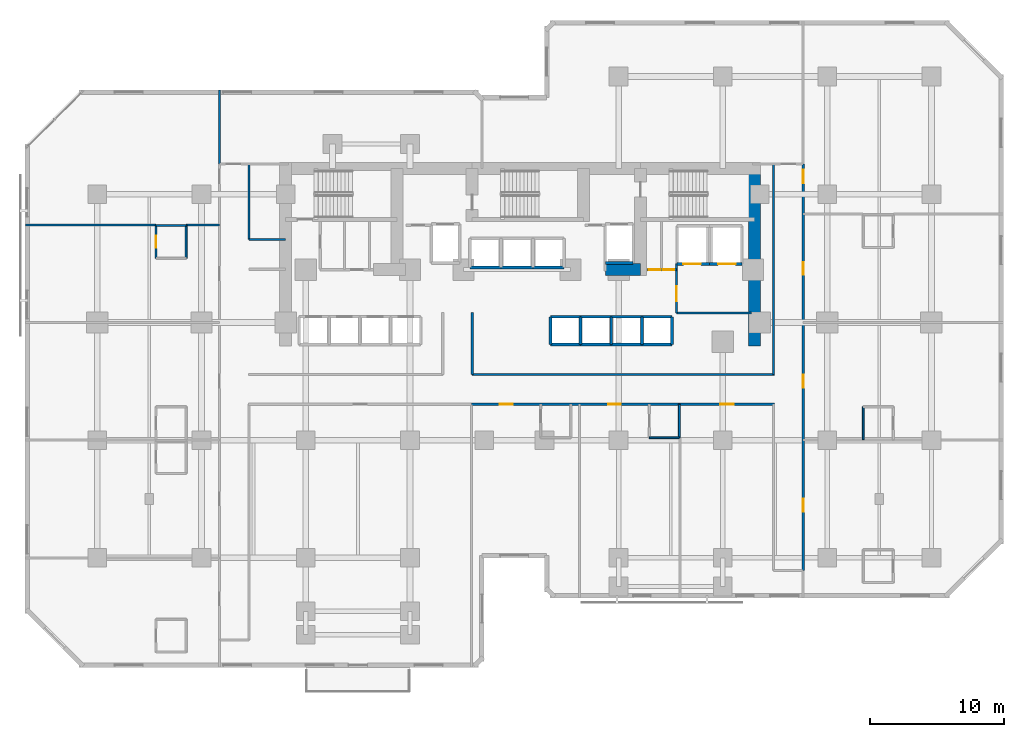
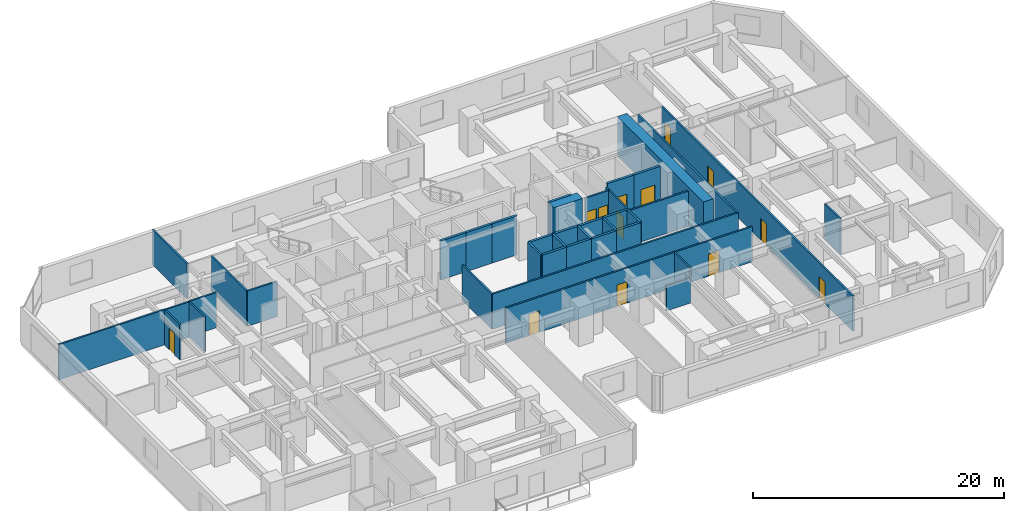
# One storey, part 6 of 11: 40 walls, 13 doors, 13 openings.
"""IFC4 building model written with IfcOpenShell, lengths in metres."""

from ifc_helpers import new_model, si_unit, direction, frame, frame_2d, origin, place, context, subcontext, project, spatial, rectangle, extrude, material, layer, layer_set, type_object, element, fill, save


model = new_model("IFC4")

# Units and contexts
model_context = context("Model", 3, precision=1e-05, world=origin(), true_north=direction((0.0, 1.0)))
body_context = subcontext(model_context, "Body", "Model", "MODEL_VIEW")
ifc_project = project(units=[si_unit("LENGTHUNIT", "METRE"), si_unit("AREAUNIT", "SQUARE_METRE"), si_unit("VOLUMEUNIT", "CUBIC_METRE"), si_unit("PLANEANGLEUNIT", "RADIAN"), si_unit("MASSUNIT", "GRAM", prefix="KILO")], contexts=[model_context])

# Site, building, storey
site_placement = place(None, origin())
site = spatial("IfcSite", under=ifc_project, at=site_placement, CompositionType="ELEMENT")
building_placement = place(site_placement, origin())
building = spatial("IfcBuilding", under=site, at=building_placement, Name="Kestravale Grand Hotel", CompositionType="ELEMENT")
storey_placement = place(building_placement, frame((0.0, 0.0, 71.60009765625)))
storey = spatial("IfcBuildingStorey", under=building, at=storey_placement, Name="L17", CompositionType="ELEMENT", Elevation=71.60009765625)

# Walls
ifc_material_1 = material(Name="Concrete f'c 70 MPa", Category="concrete")
ifc_layer_1 = layer(ifc_material_1, 0.89990234375)
ifc_layer_set_1 = layer_set([ifc_layer_1], Name="EW-CORE-900")
wall_type_1 = type_object("IfcWallType", Name="EW-CORE-900", PredefinedType="SHEAR", material=ifc_layer_set_1)
wall_1_placement = place(storey_placement, frame((56.969970703125, 27.050048828125, 0.0), z_axis=(0.0, 0.0, 1.0), x_axis=(0.0, 1.0, 0.0)))
element("IfcWall", 1, at=wall_1_placement, inside=storey, type_object=wall_type_1, Name="L17 core shear wall E1", PredefinedType="SHEAR", context=body_context, shape_type="SweptSolid", body=[
    extrude(rectangle(XDim=13.719970703125, YDim=0.89990234375, at=frame_2d((6.85986328125, 0.0))), origin(), (0.0, 0.0, 1.0), 3.7998046875),
])
wall_2_placement = place(storey_placement, frame((45.81005859375, 32.75, 0.0), z_axis=(0.0, 0.0, 1.0), x_axis=(1.0, 0.0, 0.0)))
element("IfcWall", 2, at=wall_2_placement, inside=storey, type_object=wall_type_1, Name="L17 core shear wall S2", PredefinedType="SHEAR", context=body_context, shape_type="SweptSolid", body=[
    extrude(rectangle(XDim=2.639892578125, YDim=0.89990234375, at=frame_2d((1.31982421875, 0.0))), origin(), (0.0, 0.0, 1.0), 3.7998046875),
])

# Wall, opening, door
ifc_material_2 = material(Name="Acoustic fire-rated gypsum board partition", Category="other")
ifc_layer_2 = layer(ifc_material_2, 0.159912109375)
ifc_layer_set_2 = layer_set([ifc_layer_2], Name="IW-CORR-160")
wall_type_2 = type_object("IfcWallType", Name="IW-CORR-160", PredefinedType="PARTITIONING", material=ifc_layer_set_2)
wall_3_placement = place(storey_placement, frame((51.1201171875, 29.5, 0.0), z_axis=(0.0, 0.0, 1.0), x_axis=(0.0, 1.0, 0.0)))
wall_3 = element("IfcWall", 3, at=wall_3_placement, inside=storey, type_object=wall_type_2, Name="W-L17-SVCLOB-W", PredefinedType="PARTITIONING", context=body_context, shape_type="SweptSolid", body=[
    extrude(rectangle(XDim=3.699951171875, YDim=0.159912109375, at=frame_2d((1.85009765625, 0.0))), origin(), (0.0, 0.0, 1.0), 3.419921875),
])
opening_1_placement = place(wall_3_placement, frame((0.89990234375, 0.0, 0.0)))
opening_1 = element("IfcOpeningElement", 4, at=opening_1_placement, cuts=wall_3, Name="Opening D-CORR-1100", PredefinedType="OPENING", context=body_context, shape_type="SweptSolid", body=[
    extrude(rectangle(XDim=1.10009765625, YDim=2.14990234375, at=frame_2d((0.550048828125, 1.074951171875))), frame((0.0, 0.08984375, 0.0), z_axis=(0.0, -1.0, 0.0), x_axis=(1.0, 0.0, 0.0)), (0.0, 0.0, 1.0), 0.179931640625),
])
ifc_material_3 = material(Name="Single-leaf service vestibule fire door", Category="steel")
door_type_1 = type_object("IfcDoorType", Name="D-CORR-1100", OperationType="NOTDEFINED", PredefinedType="DOOR", material=ifc_material_3)
door_1_placement = place(opening_1_placement, origin())
door_1 = element("IfcDoor", 5, at=door_1_placement, inside=storey, type_object=door_type_1, Name="L17 service lift lobby door", OperationType="SINGLE_SWING_LEFT", OverallHeight=2.14990234375, OverallWidth=1.10009765625, PredefinedType="DOOR", context=body_context, shape_type="SweptSolid", body=[
    extrude(rectangle(XDim=1.10009765625, YDim=2.14990234375, at=frame_2d((0.550048828125, 1.074951171875))), frame((0.0, 0.02490234375, 0.0), z_axis=(0.0, -1.0, 0.0), x_axis=(1.0, 0.0, 0.0)), (0.0, 0.0, 1.0), 0.050048828125),
])
fill(opening_1, door_1)

# Wall
wall_4_placement = place(storey_placement, frame((51.1201171875, 29.5, 0.0), z_axis=(0.0, 0.0, 1.0), x_axis=(1.0, 0.0, 0.0)))
element("IfcWall", 6, at=wall_4_placement, inside=storey, type_object=wall_type_2, Name="L17 service lift lobby wall", PredefinedType="PARTITIONING", context=body_context, shape_type="SweptSolid", body=[
    extrude(rectangle(XDim=5.6298828125, YDim=0.159912109375, at=frame_2d((2.81494140625, 0.0))), origin(), (0.0, 0.0, 1.0), 3.419921875),
])

# Wall, openings, doors
wall_5_placement = place(storey_placement, frame((48.919921875, 32.75, 0.0), z_axis=(0.0, 0.0, 1.0), x_axis=(1.0, 0.0, 0.0)))
wall_5 = element("IfcWall", 7, at=wall_5_placement, inside=storey, type_object=wall_type_2, Name="W-L17-CES", PredefinedType="PARTITIONING", context=body_context, shape_type="SweptSolid", body=[
    extrude(rectangle(XDim=2.2001953125, YDim=0.159912109375, at=frame_2d((1.10009765625, 0.0))), origin(), (0.0, 0.0, 1.0), 3.419921875),
])
opening_2_placement = place(wall_5_placement, frame((0.139892578125, 0.0, 0.0)))
opening_2 = element("IfcOpeningElement", 8, at=opening_2_placement, cuts=wall_5, Name="Opening D-SH-860", PredefinedType="OPENING", context=body_context, shape_type="SweptSolid", body=[
    extrude(rectangle(XDim=0.860107421875, YDim=2.050048828125, at=frame_2d((0.43017578125, 1.02490234375))), frame((0.0, 0.08984375, 0.0), z_axis=(0.0, -1.0, 0.0), x_axis=(1.0, 0.0, 0.0)), (0.0, 0.0, 1.0), 0.179931640625),
])
opening_3_placement = place(wall_5_placement, frame((1.199951171875, 0.0, 0.0)))
opening_3 = element("IfcOpeningElement", 9, at=opening_3_placement, cuts=wall_5, Name="Opening D-SH-860", PredefinedType="OPENING", context=body_context, shape_type="SweptSolid", body=[
    extrude(rectangle(XDim=0.860107421875, YDim=2.050048828125, at=frame_2d((0.43017578125, 1.02490234375))), frame((0.0, 0.08984375, 0.0), z_axis=(0.0, -1.0, 0.0), x_axis=(1.0, 0.0, 0.0)), (0.0, 0.0, 1.0), 0.179931640625),
])
ifc_material_4 = material(Name="Galvanised 90-minute riser fire door", Category="steel")
door_type_2 = type_object("IfcDoorType", Name="D-SH-860", OperationType="NOTDEFINED", PredefinedType="DOOR", material=ifc_material_4)
door_2_placement = place(opening_2_placement, origin())
door_2 = element("IfcDoor", 10, at=door_2_placement, inside=storey, type_object=door_type_2, Name="L17 CSTO1 door", OperationType="SINGLE_SWING_LEFT", OverallHeight=2.050048828125, OverallWidth=0.860107421875, PredefinedType="DOOR", context=body_context, shape_type="SweptSolid", body=[
    extrude(rectangle(XDim=0.860107421875, YDim=2.050048828125, at=frame_2d((0.43017578125, 1.02490234375))), frame((0.0, 0.02490234375, 0.0), z_axis=(0.0, -1.0, 0.0), x_axis=(1.0, 0.0, 0.0)), (0.0, 0.0, 1.0), 0.050048828125),
])
fill(opening_2, door_2)
door_3_placement = place(opening_3_placement, origin())
door_3 = element("IfcDoor", 11, at=door_3_placement, inside=storey, type_object=door_type_2, Name="L17 CSTO2 door", OperationType="SINGLE_SWING_RIGHT", OverallHeight=2.050048828125, OverallWidth=0.860107421875, PredefinedType="DOOR", context=body_context, shape_type="SweptSolid", body=[
    extrude(rectangle(XDim=0.860107421875, YDim=2.050048828125, at=frame_2d((0.43017578125, 1.02490234375))), frame((0.0, 0.02490234375, 0.0), z_axis=(0.0, -1.0, 0.0), x_axis=(1.0, 0.0, 0.0)), (0.0, 0.0, 1.0), 0.050048828125),
])
fill(opening_3, door_3)

# Walls
wall_6_placement = place(storey_placement, frame((35.85009765625, 24.909912109375, 0.0), z_axis=(0.0, 0.0, 1.0), x_axis=(1.0, 0.0, 0.0)))
element("IfcWall", 12, at=wall_6_placement, inside=storey, type_object=wall_type_2, Name="W-L17-CE-N", PredefinedType="PARTITIONING", context=body_context, shape_type="SweptSolid", body=[
    extrude(rectangle(XDim=22.599853515625, YDim=0.159912109375, at=frame_2d((11.2998046875, 0.0))), origin(), (0.0, 0.0, 1.0), 3.419921875),
])
wall_7_placement = place(storey_placement, frame((35.85009765625, 24.909912109375, 0.0), z_axis=(0.0, 0.0, 1.0), x_axis=(0.0, 1.0, 0.0)))
element("IfcWall", 13, at=wall_7_placement, inside=storey, type_object=wall_type_2, Name="W-L17-TRUNK-E", PredefinedType="PARTITIONING", context=body_context, shape_type="SweptSolid", body=[
    extrude(rectangle(XDim=4.64013671875, YDim=0.159912109375, at=frame_2d((2.320068359375, 0.0))), origin(), (0.0, 0.0, 1.0), 3.419921875),
])

# Wall, openings, doors
wall_8_placement = place(storey_placement, frame((35.800048828125, 22.68994140625, 0.0), z_axis=(0.0, 0.0, 1.0), x_axis=(1.0, 0.0, 0.0)))
wall_8 = element("IfcWall", 14, at=wall_8_placement, inside=storey, type_object=wall_type_2, Name="W-L17-CE-S", PredefinedType="PARTITIONING", context=body_context, shape_type="SweptSolid", body=[
    extrude(rectangle(XDim=22.64990234375, YDim=0.159912109375, at=frame_2d((11.324951171875, 0.0))), origin(), (0.0, 0.0, 1.0), 3.419921875),
])
opening_4_placement = place(wall_8_placement, frame((2.114990234375, 0.0, 0.0)))
opening_4 = element("IfcOpeningElement", 15, at=opening_4_placement, cuts=wall_8, Name="Opening D-GUEST-950", PredefinedType="OPENING", context=body_context, shape_type="SweptSolid", body=[
    extrude(rectangle(XDim=0.949951171875, YDim=2.10009765625, at=frame_2d((0.47509765625, 1.050048828125))), frame((0.0, 0.08984375, 0.0), z_axis=(0.0, -1.0, 0.0), x_axis=(1.0, 0.0, 0.0)), (0.0, 0.0, 1.0), 0.179931640625),
])
opening_5_placement = place(wall_8_placement, frame((10.215087890625, 0.0, 0.0)))
opening_5 = element("IfcOpeningElement", 16, at=opening_5_placement, cuts=wall_8, Name="Opening D-GUEST-950", PredefinedType="OPENING", context=body_context, shape_type="SweptSolid", body=[
    extrude(rectangle(XDim=0.949951171875, YDim=2.10009765625, at=frame_2d((0.47509765625, 1.050048828125))), frame((0.0, 0.08984375, 0.0), z_axis=(0.0, -1.0, 0.0), x_axis=(1.0, 0.0, 0.0)), (0.0, 0.0, 1.0), 0.179931640625),
])
opening_6_placement = place(wall_8_placement, frame((18.60009765625, 0.0, 0.0)))
opening_6 = element("IfcOpeningElement", 17, at=opening_6_placement, cuts=wall_8, Name="Opening D-GUEST-1000", PredefinedType="OPENING", context=body_context, shape_type="SweptSolid", body=[
    extrude(rectangle(XDim=1.0, YDim=2.14990234375, at=frame_2d((0.5, 1.074951171875))), frame((0.0, 0.08984375, 0.0), z_axis=(0.0, -1.0, 0.0), x_axis=(1.0, 0.0, 0.0)), (0.0, 0.0, 1.0), 0.179931640625),
])
ifc_material_5 = material(Name="Accessible walnut veneer hotel entrance fire door", Category="wood")
door_type_3 = type_object("IfcDoorType", Name="D-GUEST-1000", OperationType="NOTDEFINED", PredefinedType="DOOR", material=ifc_material_5)
door_4_placement = place(opening_6_placement, origin())
door_4 = element("IfcDoor", 18, at=door_4_placement, inside=storey, type_object=door_type_3, Name="D-L17-AME", OperationType="SINGLE_SWING_RIGHT", OverallHeight=2.14990234375, OverallWidth=1.0, PredefinedType="DOOR", context=body_context, shape_type="SweptSolid", body=[
    extrude(rectangle(XDim=1.0, YDim=2.14990234375, at=frame_2d((0.5, 1.074951171875))), frame((0.0, 0.02490234375, 0.0), z_axis=(0.0, -1.0, 0.0), x_axis=(1.0, 0.0, 0.0)), (0.0, 0.0, 1.0), 0.050048828125),
])
fill(opening_6, door_4)
ifc_material_6 = material(Name="Walnut veneer hotel guestroom entrance fire door", Category="wood")
door_type_4 = type_object("IfcDoorType", Name="D-GUEST-950", OperationType="NOTDEFINED", PredefinedType="DOOR", material=ifc_material_6)
door_5_placement = place(opening_4_placement, origin())
door_5 = element("IfcDoor", 19, at=door_5_placement, inside=storey, type_object=door_type_4, Name="D-L17-U01-ENT", OperationType="SINGLE_SWING_LEFT", OverallHeight=2.10009765625, OverallWidth=0.949951171875, PredefinedType="DOOR", context=body_context, shape_type="SweptSolid", body=[
    extrude(rectangle(XDim=0.949951171875, YDim=2.10009765625, at=frame_2d((0.47509765625, 1.050048828125))), frame((0.0, 0.02490234375, 0.0), z_axis=(0.0, -1.0, 0.0), x_axis=(1.0, 0.0, 0.0)), (0.0, 0.0, 1.0), 0.050048828125),
])
fill(opening_4, door_5)
door_6_placement = place(opening_5_placement, origin())
door_6 = element("IfcDoor", 20, at=door_6_placement, inside=storey, type_object=door_type_4, Name="D-L17-U02-ENT", OperationType="SINGLE_SWING_LEFT", OverallHeight=2.10009765625, OverallWidth=0.949951171875, PredefinedType="DOOR", context=body_context, shape_type="SweptSolid", body=[
    extrude(rectangle(XDim=0.949951171875, YDim=2.10009765625, at=frame_2d((0.47509765625, 1.050048828125))), frame((0.0, 0.02490234375, 0.0), z_axis=(0.0, -1.0, 0.0), x_axis=(1.0, 0.0, 0.0)), (0.0, 0.0, 1.0), 0.050048828125),
])
fill(opening_5, door_6)

# Walls
wall_9_placement = place(storey_placement, frame((19.159912109375, 35.02001953125, 0.0), z_axis=(0.0, 0.0, 1.0), x_axis=(0.0, 1.0, 0.0)))
element("IfcWall", 21, at=wall_9_placement, inside=storey, type_object=wall_type_2, Name="W-L17-SW-EN", PredefinedType="PARTITIONING", context=body_context, shape_type="SweptSolid", body=[
    extrude(rectangle(XDim=5.6298828125, YDim=0.159912109375, at=frame_2d((2.81494140625, 0.0))), origin(), (0.0, 0.0, 1.0), 3.419921875),
])
wall_10_placement = place(storey_placement, frame((19.159912109375, 35.02001953125, 0.0), z_axis=(0.0, 0.0, 1.0), x_axis=(1.0, 0.0, 0.0)))
element("IfcWall", 22, at=wall_10_placement, inside=storey, type_object=wall_type_2, Name="W-L17-SW-CN", PredefinedType="PARTITIONING", context=body_context, shape_type="SweptSolid", body=[
    extrude(rectangle(XDim=2.739990234375, YDim=0.159912109375, at=frame_2d((1.3701171875, 0.0))), origin(), (0.0, 0.0, 1.0), 3.419921875),
])

# Wall, openings, doors
wall_11_placement = place(storey_placement, frame((60.610107421875, 10.25, 0.0), z_axis=(0.0, 0.0, 1.0), x_axis=(0.0, 1.0, 0.0)))
wall_11 = element("IfcWall", 23, at=wall_11_placement, inside=storey, type_object=wall_type_2, Name="W-L17-SE-E", PredefinedType="PARTITIONING", context=body_context, shape_type="SweptSolid", body=[
    extrude(rectangle(XDim=30.39990234375, YDim=0.159912109375, at=frame_2d((15.199951171875, 0.0))), origin(), (0.0, 0.0, 1.0), 3.419921875),
])
opening_7_placement = place(wall_11_placement, frame((4.39990234375, 0.0, 0.0)))
opening_7 = element("IfcOpeningElement", 24, at=opening_7_placement, cuts=wall_11, Name="Opening D-GUEST-950", PredefinedType="OPENING", context=body_context, shape_type="SweptSolid", body=[
    extrude(rectangle(XDim=0.949951171875, YDim=2.10009765625, at=frame_2d((0.47509765625, 1.050048828125))), frame((0.0, 0.08984375, 0.0), z_axis=(0.0, -1.0, 0.0), x_axis=(1.0, 0.0, 0.0)), (0.0, 0.0, 1.0), 0.179931640625),
])
opening_8_placement = place(wall_11_placement, frame((13.675048828125, 0.0, 0.0)))
opening_8 = element("IfcOpeningElement", 25, at=opening_8_placement, cuts=wall_11, Name="Opening D-GUEST-950", PredefinedType="OPENING", context=body_context, shape_type="SweptSolid", body=[
    extrude(rectangle(XDim=0.949951171875, YDim=2.10009765625, at=frame_2d((0.47509765625, 1.050048828125))), frame((0.0, 0.08984375, 0.0), z_axis=(0.0, -1.0, 0.0), x_axis=(1.0, 0.0, 0.0)), (0.0, 0.0, 1.0), 0.179931640625),
])
opening_9_placement = place(wall_11_placement, frame((22.125, 0.0, 0.0)))
opening_9 = element("IfcOpeningElement", 26, at=opening_9_placement, cuts=wall_11, Name="Opening D-GUEST-950", PredefinedType="OPENING", context=body_context, shape_type="SweptSolid", body=[
    extrude(rectangle(XDim=0.949951171875, YDim=2.10009765625, at=frame_2d((0.47509765625, 1.050048828125))), frame((0.0, 0.08984375, 0.0), z_axis=(0.0, -1.0, 0.0), x_axis=(1.0, 0.0, 0.0)), (0.0, 0.0, 1.0), 0.179931640625),
])
opening_10_placement = place(wall_11_placement, frame((28.9599609375, 0.0, 0.0)))
opening_10 = element("IfcOpeningElement", 27, at=opening_10_placement, cuts=wall_11, Name="Opening D-GUEST-1000", PredefinedType="OPENING", context=body_context, shape_type="SweptSolid", body=[
    extrude(rectangle(XDim=1.0, YDim=2.14990234375, at=frame_2d((0.5, 1.074951171875))), frame((0.0, 0.08984375, 0.0), z_axis=(0.0, -1.0, 0.0), x_axis=(1.0, 0.0, 0.0)), (0.0, 0.0, 1.0), 0.179931640625),
])
door_7_placement = place(opening_10_placement, origin())
door_7 = element("IfcDoor", 28, at=door_7_placement, inside=storey, type_object=door_type_3, Name="D-L17-AMEW", OperationType="SINGLE_SWING_RIGHT", OverallHeight=2.14990234375, OverallWidth=1.0, PredefinedType="DOOR", context=body_context, shape_type="SweptSolid", body=[
    extrude(rectangle(XDim=1.0, YDim=2.14990234375, at=frame_2d((0.5, 1.074951171875))), frame((0.0, 0.02490234375, 0.0), z_axis=(0.0, -1.0, 0.0), x_axis=(1.0, 0.0, 0.0)), (0.0, 0.0, 1.0), 0.050048828125),
])
fill(opening_10, door_7)
door_8_placement = place(opening_7_placement, origin())
door_8 = element("IfcDoor", 29, at=door_8_placement, inside=storey, type_object=door_type_4, Name="D-L17-U07-ENT", OperationType="SINGLE_SWING_LEFT", OverallHeight=2.10009765625, OverallWidth=0.949951171875, PredefinedType="DOOR", context=body_context, shape_type="SweptSolid", body=[
    extrude(rectangle(XDim=0.949951171875, YDim=2.10009765625, at=frame_2d((0.47509765625, 1.050048828125))), frame((0.0, 0.02490234375, 0.0), z_axis=(0.0, -1.0, 0.0), x_axis=(1.0, 0.0, 0.0)), (0.0, 0.0, 1.0), 0.050048828125),
])
fill(opening_7, door_8)
door_9_placement = place(opening_8_placement, origin())
door_9 = element("IfcDoor", 30, at=door_9_placement, inside=storey, type_object=door_type_4, Name="D-L17-U08-ENT", OperationType="SINGLE_SWING_LEFT", OverallHeight=2.10009765625, OverallWidth=0.949951171875, PredefinedType="DOOR", context=body_context, shape_type="SweptSolid", body=[
    extrude(rectangle(XDim=0.949951171875, YDim=2.10009765625, at=frame_2d((0.47509765625, 1.050048828125))), frame((0.0, 0.02490234375, 0.0), z_axis=(0.0, -1.0, 0.0), x_axis=(1.0, 0.0, 0.0)), (0.0, 0.0, 1.0), 0.050048828125),
])
fill(opening_8, door_9)
door_10_placement = place(opening_9_placement, origin())
door_10 = element("IfcDoor", 31, at=door_10_placement, inside=storey, type_object=door_type_4, Name="D-L17-U09-ENT", OperationType="SINGLE_SWING_LEFT", OverallHeight=2.10009765625, OverallWidth=0.949951171875, PredefinedType="DOOR", context=body_context, shape_type="SweptSolid", body=[
    extrude(rectangle(XDim=0.949951171875, YDim=2.10009765625, at=frame_2d((0.47509765625, 1.050048828125))), frame((0.0, 0.02490234375, 0.0), z_axis=(0.0, -1.0, 0.0), x_axis=(1.0, 0.0, 0.0)), (0.0, 0.0, 1.0), 0.050048828125),
])
fill(opening_9, door_10)

# Walls
wall_12_placement = place(storey_placement, frame((58.389892578125, 24.909912109375, 0.0), z_axis=(0.0, 0.0, 1.0), x_axis=(0.0, 1.0, 0.0)))
element("IfcWall", 32, at=wall_12_placement, inside=storey, type_object=wall_type_2, Name="W-L17-SE-WU", PredefinedType="PARTITIONING", context=body_context, shape_type="SweptSolid", body=[
    extrude(rectangle(XDim=15.739990234375, YDim=0.159912109375, at=frame_2d((7.8701171875, 0.0))), origin(), (0.0, 0.0, 1.0), 3.419921875),
])
ifc_material_7 = material(Name="Moisture-resistant tile-backer plumbing chase wall", Category="other")
ifc_layer_3 = layer(ifc_material_7, 0.139892578125)
ifc_layer_set_3 = layer_set([ifc_layer_3], Name="IW-PLB-140")
wall_type_3 = type_object("IfcWallType", Name="IW-PLB-140", PredefinedType="PLUMBINGWALL", material=ifc_layer_set_3)
wall_13_placement = place(storey_placement, frame((51.35009765625, 20.179931640625, 0.0), z_axis=(0.0, 0.0, 1.0), x_axis=(0.0, 1.0, 0.0)))
element("IfcWall", 33, at=wall_13_placement, inside=storey, type_object=wall_type_3, Name="W-L17-U02-BE", PredefinedType="PLUMBINGWALL", context=body_context, shape_type="SweptSolid", body=[
    extrude(rectangle(XDim=2.489990234375, YDim=0.139892578125, at=frame_2d((1.2451171875, 0.0))), origin(), (0.0, 0.0, 1.0), 3.419921875),
])
wall_14_placement = place(storey_placement, frame((49.10009765625, 20.179931640625, 0.0), z_axis=(0.0, 0.0, 1.0), x_axis=(1.0, 0.0, 0.0)))
element("IfcWall", 34, at=wall_14_placement, inside=storey, type_object=wall_type_3, Name="W-L17-U02-BS", PredefinedType="PLUMBINGWALL", context=body_context, shape_type="SweptSolid", body=[
    extrude(rectangle(XDim=2.25, YDim=0.139892578125, at=frame_2d((1.125, 0.0))), origin(), (0.0, 0.0, 1.0), 2.472900390625),
])

# Wall, opening, door
wall_15_placement = place(storey_placement, frame((12.199951171875, 33.610107421875, 0.0), z_axis=(0.0, 0.0, 1.0), x_axis=(0.0, 1.0, 0.0)))
wall_15 = element("IfcWall", 35, at=wall_15_placement, inside=storey, type_object=wall_type_3, Name="W-L17-U06-BW", PredefinedType="PLUMBINGWALL", context=body_context, shape_type="SweptSolid", body=[
    extrude(rectangle(XDim=2.449951171875, YDim=0.139892578125, at=frame_2d((1.22509765625, 0.0))), origin(), (0.0, 0.0, 1.0), 3.419921875),
])
opening_11_placement = place(wall_15_placement, frame((0.784912109375, 0.0, 0.0)))
opening_11 = element("IfcOpeningElement", 36, at=opening_11_placement, cuts=wall_15, Name="Opening D-BATH-880", PredefinedType="OPENING", context=body_context, shape_type="SweptSolid", body=[
    extrude(rectangle(XDim=0.8798828125, YDim=2.050048828125, at=frame_2d((0.43994140625, 1.02490234375))), frame((0.0, 0.079833984375, 0.0), z_axis=(0.0, -1.0, 0.0), x_axis=(1.0, 0.0, 0.0)), (0.0, 0.0, 1.0), 0.159912109375),
])
ifc_material_8 = material(Name="Moisture-sealed walnut en-suite bathroom door", Category="wood")
door_type_5 = type_object("IfcDoorType", Name="D-BATH-880", OperationType="NOTDEFINED", PredefinedType="DOOR", material=ifc_material_8)
door_11_placement = place(opening_11_placement, origin())
door_11 = element("IfcDoor", 37, at=door_11_placement, inside=storey, type_object=door_type_5, Name="D-L17-U06-BATH", OperationType="SINGLE_SWING_LEFT", OverallHeight=2.050048828125, OverallWidth=0.8798828125, PredefinedType="DOOR", context=body_context, shape_type="SweptSolid", body=[
    extrude(rectangle(XDim=0.8798828125, YDim=2.050048828125, at=frame_2d((0.43994140625, 1.02490234375))), frame((0.0, 0.02490234375, 0.0), z_axis=(0.0, -1.0, 0.0), x_axis=(1.0, 0.0, 0.0)), (0.0, 0.0, 1.0), 0.050048828125),
])
fill(opening_11, door_11)

# Walls
wall_16_placement = place(storey_placement, frame((14.449951171875, 33.610107421875, 0.0), z_axis=(0.0, 0.0, 1.0), x_axis=(0.0, 1.0, 0.0)))
element("IfcWall", 38, at=wall_16_placement, inside=storey, type_object=wall_type_3, Name="W-L17-U06-BE", PredefinedType="PLUMBINGWALL", context=body_context, shape_type="SweptSolid", body=[
    extrude(rectangle(XDim=2.449951171875, YDim=0.139892578125, at=frame_2d((1.22509765625, 0.0))), origin(), (0.0, 0.0, 1.0), 3.419921875),
])
wall_17_placement = place(storey_placement, frame((12.199951171875, 36.06005859375, 0.0), z_axis=(0.0, 0.0, 1.0), x_axis=(1.0, 0.0, 0.0)))
element("IfcWall", 39, at=wall_17_placement, inside=storey, type_object=wall_type_3, Name="W-L17-U06-BN", PredefinedType="PLUMBINGWALL", context=body_context, shape_type="SweptSolid", body=[
    extrude(rectangle(XDim=2.25, YDim=0.139892578125, at=frame_2d((1.125, 0.0))), origin(), (0.0, 0.0, 1.0), 3.419921875),
])
wall_18_placement = place(storey_placement, frame((65.10009765625, 20.0400390625, 0.0), z_axis=(0.0, 0.0, 1.0), x_axis=(0.0, 1.0, 0.0)))
element("IfcWall", 40, at=wall_18_placement, inside=storey, type_object=wall_type_3, Name="W-L17-U08-BW", PredefinedType="PLUMBINGWALL", context=body_context, shape_type="SweptSolid", body=[
    extrude(rectangle(XDim=2.449951171875, YDim=0.139892578125, at=frame_2d((1.22509765625, 0.0))), origin(), (0.0, 0.0, 1.0), 3.419921875),
])
ifc_material_9 = material(Name="Concrete f'c 45 MPa", Category="concrete")
ifc_layer_4 = layer(ifc_material_9, 0.199951171875)
ifc_layer_set_4 = layer_set([ifc_layer_4], Name="IW-SHAFT-200")
wall_type_4 = type_object("IfcWallType", Name="IW-SHAFT-200", PredefinedType="SHEAR", material=ifc_layer_set_4)
for number, where, z_axis, x_axis, name in (
    (41, (41.705078125, 27.169921875, 0.0), (0.0, 0.0, 1.0), (0.0, 1.0, 0.0), "L17 PL-M1 west shaft wall"),
    (42, (43.949951171875, 27.169921875, 0.0), (0.0, 0.0, 1.0), (0.0, 1.0, 0.0), "L17 PL-M2 west shaft wall"),
    (43, (46.25, 27.169921875, 0.0), (0.0, 0.0, 1.0), (0.0, 1.0, 0.0), "L17 PL-M3 west shaft wall"),
    (44, (48.550048828125, 27.169921875, 0.0), (0.0, 0.0, 1.0), (0.0, 1.0, 0.0), "L17 PL-M4 west shaft wall"),
    (45, (50.794921875, 27.169921875, 0.0), (0.0, 0.0, 1.0), (0.0, 1.0, 0.0), "L17 PL-M4 east shaft wall"),
):
    element("IfcWall", number, at=place(storey_placement, frame(where, z_axis=z_axis, x_axis=x_axis)), inside=storey, type_object=wall_type_4, Name=name, PredefinedType="SHEAR", context=body_context, shape_type="SweptSolid", body=[
        extrude(rectangle(XDim=2.06005859375, YDim=0.199951171875, at=frame_2d((1.030029296875, 0.0))), origin(), (0.0, 0.0, 1.0), 3.7998046875),
    ])
ifc_material_10 = material(Name="Concrete f'c 45 MPa", Category="concrete")
ifc_layer_5 = layer(ifc_material_10, 0.219970703125)
ifc_layer_set_5 = layer_set([ifc_layer_5], Name="IW-SHAFT-220")
wall_type_5 = type_object("IfcWallType", Name="IW-SHAFT-220", PredefinedType="SHEAR", material=ifc_layer_set_5)
for number, where, z_axis, x_axis, name in (
    (46, (41.705078125, 29.22998046875, 0.0), (0.0, 0.0, 1.0), (1.0, 0.0, 0.0), "L17 PL-M1 north shaft wall"),
    (47, (41.705078125, 27.169921875, 0.0), (0.0, 0.0, 1.0), (1.0, 0.0, 0.0), "L17 PL-M1 south shaft wall"),
):
    element("IfcWall", number, at=place(storey_placement, frame(where, z_axis=z_axis, x_axis=x_axis)), inside=storey, type_object=wall_type_5, Name=name, PredefinedType="SHEAR", context=body_context, shape_type="SweptSolid", body=[
        extrude(rectangle(XDim=2.244873046875, YDim=0.219970703125, at=frame_2d((1.12255859375, 0.0))), origin(), (0.0, 0.0, 1.0), 3.7998046875),
    ])
for number, where, z_axis, x_axis, name in (
    (48, (43.949951171875, 29.22998046875, 0.0), (0.0, 0.0, 1.0), (1.0, 0.0, 0.0), "L17 PL-M2 north shaft wall"),
    (49, (43.949951171875, 27.169921875, 0.0), (0.0, 0.0, 1.0), (1.0, 0.0, 0.0), "L17 PL-M2 south shaft wall"),
    (50, (46.25, 29.22998046875, 0.0), (0.0, 0.0, 1.0), (1.0, 0.0, 0.0), "L17 PL-M3 north shaft wall"),
    (51, (46.25, 27.169921875, 0.0), (0.0, 0.0, 1.0), (1.0, 0.0, 0.0), "L17 PL-M3 south shaft wall"),
):
    element("IfcWall", number, at=place(storey_placement, frame(where, z_axis=z_axis, x_axis=x_axis)), inside=storey, type_object=wall_type_5, Name=name, PredefinedType="SHEAR", context=body_context, shape_type="SweptSolid", body=[
        extrude(rectangle(XDim=2.300048828125, YDim=0.219970703125, at=frame_2d((1.14990234375, 0.0))), origin(), (0.0, 0.0, 1.0), 3.7998046875),
    ])
for number, where, z_axis, x_axis, name in (
    (52, (48.550048828125, 29.22998046875, 0.0), (0.0, 0.0, 1.0), (1.0, 0.0, 0.0), "L17 PL-M4 north shaft wall"),
    (53, (48.550048828125, 27.169921875, 0.0), (0.0, 0.0, 1.0), (1.0, 0.0, 0.0), "L17 PL-M4 south shaft wall"),
):
    element("IfcWall", number, at=place(storey_placement, frame(where, z_axis=z_axis, x_axis=x_axis)), inside=storey, type_object=wall_type_5, Name=name, PredefinedType="SHEAR", context=body_context, shape_type="SweptSolid", body=[
        extrude(rectangle(XDim=2.244873046875, YDim=0.219970703125, at=frame_2d((1.12255859375, 0.0))), origin(), (0.0, 0.0, 1.0), 3.7998046875),
    ])
wall_19_placement = place(storey_placement, frame((35.679931640625, 32.919921875, 0.0), z_axis=(0.0, 0.0, 1.0), x_axis=(1.0, 0.0, 0.0)))
element("IfcWall", 54, at=wall_19_placement, inside=storey, type_object=wall_type_5, Name="L17 PL-X1 south shaft wall", PredefinedType="SHEAR", context=body_context, shape_type="SweptSolid", body=[
    extrude(rectangle(XDim=2.320068359375, YDim=0.219970703125, at=frame_2d((1.16015625, 0.0))), origin(), (0.0, 0.0, 1.0), 3.7998046875),
])
wall_20_placement = place(storey_placement, frame((38.0, 32.919921875, 0.0), z_axis=(0.0, 0.0, 1.0), x_axis=(1.0, 0.0, 0.0)))
element("IfcWall", 55, at=wall_20_placement, inside=storey, type_object=wall_type_5, Name="L17 PL-X2 south shaft wall", PredefinedType="SHEAR", context=body_context, shape_type="SweptSolid", body=[
    extrude(rectangle(XDim=2.39990234375, YDim=0.219970703125, at=frame_2d((1.199951171875, 0.0))), origin(), (0.0, 0.0, 1.0), 3.7998046875),
])
wall_21_placement = place(storey_placement, frame((40.39990234375, 32.919921875, 0.0), z_axis=(0.0, 0.0, 1.0), x_axis=(1.0, 0.0, 0.0)))
element("IfcWall", 56, at=wall_21_placement, inside=storey, type_object=wall_type_5, Name="L17 PL-X3 south shaft wall", PredefinedType="SHEAR", context=body_context, shape_type="SweptSolid", body=[
    extrude(rectangle(XDim=2.320068359375, YDim=0.219970703125, at=frame_2d((1.16015625, 0.0))), origin(), (0.0, 0.0, 1.0), 3.7998046875),
])

# Wall, opening, door
wall_22_placement = place(storey_placement, frame((51.179931640625, 33.169921875, 0.0), z_axis=(0.0, 0.0, 1.0), x_axis=(1.0, 0.0, 0.0)))
wall_22 = element("IfcWall", 57, at=wall_22_placement, inside=storey, type_object=wall_type_5, Name="L17 SL-1 south shaft wall", PredefinedType="SHEAR", context=body_context, shape_type="SweptSolid", body=[
    extrude(rectangle(XDim=2.420166015625, YDim=0.219970703125, at=frame_2d((1.2099609375, 0.0))), origin(), (0.0, 0.0, 1.0), 3.7998046875),
])
opening_12_placement = place(wall_22_placement, frame((0.469970703125, 0.0, 0.0)))
opening_12 = element("IfcOpeningElement", 58, at=opening_12_placement, cuts=wall_22, Name="Opening LD-SVC-1300", PredefinedType="OPENING", context=body_context, shape_type="SweptSolid", body=[
    extrude(rectangle(XDim=1.300048828125, YDim=2.14990234375, at=frame_2d((0.64990234375, 1.074951171875))), frame((0.0, 0.119873046875, 0.0), z_axis=(0.0, -1.0, 0.0), x_axis=(1.0, 0.0, 0.0)), (0.0, 0.0, 1.0), 0.239990234375),
])
ifc_material_11 = material(Name="Heavy-duty service sliding elevator landing door", Category="steel")
door_type_6 = type_object("IfcDoorType", Name="LD-SVC-1300", OperationType="NOTDEFINED", PredefinedType="DOOR", material=ifc_material_11)
door_12_placement = place(opening_12_placement, origin())
door_12 = element("IfcDoor", 59, at=door_12_placement, inside=storey, type_object=door_type_6, Name="L17 SL-1 elevator landing sliding door", OperationType="DOUBLE_DOOR_SLIDING", OverallHeight=2.14990234375, OverallWidth=1.300048828125, PredefinedType="DOOR", context=body_context, shape_type="SweptSolid", body=[
    extrude(rectangle(XDim=1.300048828125, YDim=2.14990234375, at=frame_2d((0.64990234375, 1.074951171875))), frame((0.0, 0.02490234375, 0.0), z_axis=(0.0, -1.0, 0.0), x_axis=(1.0, 0.0, 0.0)), (0.0, 0.0, 1.0), 0.050048828125),
])
fill(opening_12, door_12)

wall_23_placement = place(storey_placement, frame((53.60009765625, 33.169921875, 0.0), z_axis=(0.0, 0.0, 1.0), x_axis=(1.0, 0.0, 0.0)))
wall_23 = element("IfcWall", 60, at=wall_23_placement, inside=storey, type_object=wall_type_5, Name="L17 SL-2 south shaft wall", PredefinedType="SHEAR", context=body_context, shape_type="SweptSolid", body=[
    extrude(rectangle(XDim=2.419921875, YDim=0.219970703125, at=frame_2d((1.2099609375, 0.0))), origin(), (0.0, 0.0, 1.0), 3.7998046875),
])
opening_13_placement = place(wall_23_placement, frame((0.64990234375, 0.0, 0.0)))
opening_13 = element("IfcOpeningElement", 61, at=opening_13_placement, cuts=wall_23, Name="Opening LD-SVC-1300", PredefinedType="OPENING", context=body_context, shape_type="SweptSolid", body=[
    extrude(rectangle(XDim=1.300048828125, YDim=2.14990234375, at=frame_2d((0.64990234375, 1.074951171875))), frame((0.0, 0.119873046875, 0.0), z_axis=(0.0, -1.0, 0.0), x_axis=(1.0, 0.0, 0.0)), (0.0, 0.0, 1.0), 0.239990234375),
])
door_13_placement = place(opening_13_placement, origin())
door_13 = element("IfcDoor", 62, at=door_13_placement, inside=storey, type_object=door_type_6, Name="L17 SL-2 elevator landing sliding door", OperationType="DOUBLE_DOOR_SLIDING", OverallHeight=2.14990234375, OverallWidth=1.300048828125, PredefinedType="DOOR", context=body_context, shape_type="SweptSolid", body=[
    extrude(rectangle(XDim=1.300048828125, YDim=2.14990234375, at=frame_2d((0.64990234375, 1.074951171875))), frame((0.0, 0.02490234375, 0.0), z_axis=(0.0, -1.0, 0.0), x_axis=(1.0, 0.0, 0.0)), (0.0, 0.0, 1.0), 0.050048828125),
])
fill(opening_13, door_13)

# Walls
wall_24_placement = place(storey_placement, frame((45.804931640625, 33.2451171875, 0.0), z_axis=(0.0, 0.0, 1.0), x_axis=(1.0, 0.0, 0.0)))
element("IfcWall", 63, at=wall_24_placement, inside=storey, type_object=wall_type_5, Name="L17 FL-2 south shaft wall", PredefinedType="SHEAR", context=body_context, shape_type="SweptSolid", body=[
    extrude(rectangle(XDim=2.090087890625, YDim=0.219970703125, at=frame_2d((1.044921875, 0.0))), origin(), (0.0, 0.0, 1.0), 3.7998046875),
])
ifc_material_12 = material(Name="Double-stud STC 52 acoustic demising partition", Category="other")
ifc_layer_6 = layer(ifc_material_12, 0.14990234375)
ifc_layer_set_6 = layer_set([ifc_layer_6], Name="IW-UNIT-150")
wall_type_6 = type_object("IfcWallType", Name="IW-UNIT-150", PredefinedType="PARTITIONING", material=ifc_layer_set_6)
wall_25_placement = place(storey_placement, frame((16.93994140625, 40.64990234375, 0.0), z_axis=(0.0, 0.0, 1.0), x_axis=(0.0, 1.0, 0.0)))
element("IfcWall", 64, at=wall_25_placement, inside=storey, type_object=wall_type_6, Name="W-L17-NGW-W", PredefinedType="PARTITIONING", context=body_context, shape_type="SweptSolid", body=[
    extrude(rectangle(XDim=5.530029296875, YDim=0.14990234375, at=frame_2d((2.76513671875, 0.0))), origin(), (0.0, 0.0, 1.0), 3.419921875),
])
wall_26_placement = place(storey_placement, frame((2.419921875, 36.10009765625, 0.0), z_axis=(0.0, 0.0, 1.0), x_axis=(1.0, 0.0, 0.0)))
element("IfcWall", 65, at=wall_26_placement, inside=storey, type_object=wall_type_6, Name="W-L17-WW-4", PredefinedType="PARTITIONING", context=body_context, shape_type="SweptSolid", body=[
    extrude(rectangle(XDim=9.780029296875, YDim=0.14990234375, at=frame_2d((4.89013671875, 0.0))), origin(), (0.0, 0.0, 1.0), 3.419921875),
])
wall_27_placement = place(storey_placement, frame((14.449951171875, 36.10009765625, 0.0), z_axis=(0.0, 0.0, 1.0), x_axis=(1.0, 0.0, 0.0)))
element("IfcWall", 66, at=wall_27_placement, inside=storey, type_object=wall_type_6, Name="W-L17-WW-4", PredefinedType="PARTITIONING", context=body_context, shape_type="SweptSolid", body=[
    extrude(rectangle(XDim=2.489990234375, YDim=0.14990234375, at=frame_2d((1.2451171875, 0.0))), origin(), (0.0, 0.0, 1.0), 3.419921875),
])

save(model, "model.ifc")
